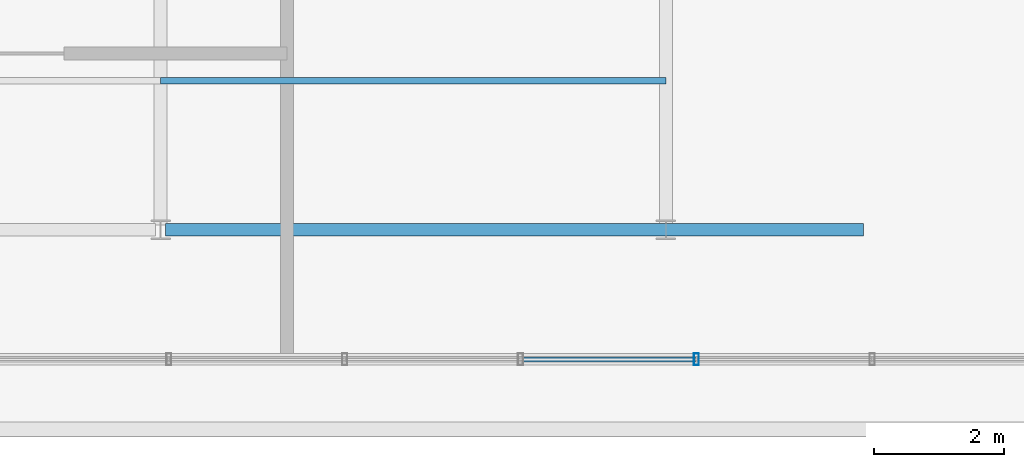
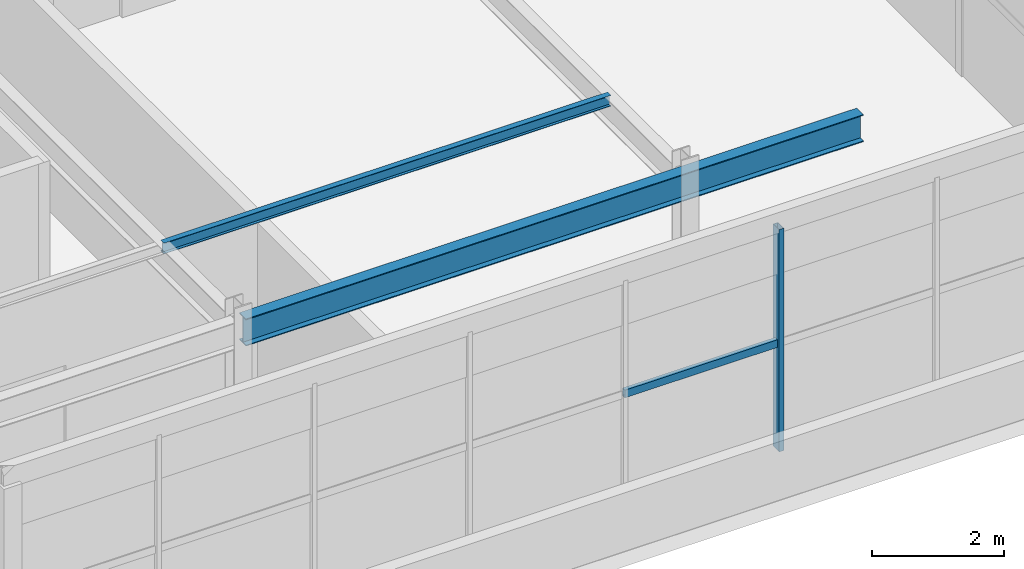
# One storey, part 4 of 31: 3 members, 1 beam, 1 element without a shape of its own.
"""IFC4 building model written with IfcOpenShell, lengths in metres."""

from ifc_helpers import new_model, si_unit, direction, frame, origin, origin_2d, place, context, subcontext, project, spatial, hollow_rectangle, i_section, extrude, source, transform, mapped, material, material_profile, profile_set, type_object, element, aggregate, save


model = new_model("IFC4")

# Units and contexts
model_context = context("Model", 3, precision=1e-05, world=origin(), true_north=direction((0.0, 1.0)))
body_context = subcontext(model_context, "Body", "Model", "MODEL_VIEW")
ifc_project = project(units=[si_unit("LENGTHUNIT", "METRE"), si_unit("AREAUNIT", "SQUARE_METRE"), si_unit("VOLUMEUNIT", "CUBIC_METRE"), si_unit("PLANEANGLEUNIT", "RADIAN"), si_unit("MASSUNIT", "GRAM", prefix="KILO")], contexts=[model_context])

# Site, building, storey
site_placement = place(None, origin())
site = spatial("IfcSite", under=ifc_project, at=site_placement, CompositionType="ELEMENT")
building_placement = place(site_placement, origin())
building = spatial("IfcBuilding", under=site, at=building_placement, Name="Trelvane Seafront Commons", CompositionType="ELEMENT")
storey_placement = place(building_placement, frame((0.0, 0.0, 307.89990234375)))
storey = spatial("IfcBuildingStorey", under=building, at=storey_placement, Name="L80", CompositionType="ELEMENT", Elevation=307.89990234375)

# Beam
ifc_material_1 = material(Name="Steel SM355 (S355)", Category="steel")
ifc_material_profile_1 = material_profile(ifc_material_1, i_section(OverallWidth=0.199951171875, OverallDepth=0.5, WebThickness=0.010009765625, FlangeThickness=0.01611328125, at=origin_2d()), Name="H-500x200x10x16")
ifc_profile_set_1 = profile_set([ifc_material_profile_1], Name="Steel SM355 (S355)")
beam_type = type_object("IfcBeamType", Name="STR-CROWN-FRAME-RING", PredefinedType="SPANDREL", material=ifc_profile_set_1)
shared_shape_1 = source(origin(), body_context, "Body", "SweptSolid", [
    extrude(i_section(OverallWidth=0.199951171875, OverallDepth=0.5, WebThickness=0.010009765625, FlangeThickness=0.01611328125, at=origin_2d()), origin(), (0.0, 0.0, 1.0), 10.77490234375),
])
beam_placement = place(storey_placement, frame((15.675048828125, 18.199951171875, 3.85009765625), z_axis=(1.0, 0.0, 0.0), x_axis=(0.0, 1.0, 0.0)))
element("IfcBeam", 1, at=beam_placement, inside=storey, type_object=beam_type, Name="L80 CROWN FRAME Ring Beam G-02", PredefinedType="SPANDREL", context=body_context, shape_type="MappedRepresentation", body=[
    mapped(shared_shape_1, transform((0.0, 0.0, 0.0), x_axis=(1.0, 0.0, 0.0), y_axis=(0.0, 1.0, 0.0), z_axis=(0.0, 0.0, 1.0), scale=1.0)),
])

# Member
ifc_material_profile_2 = material_profile(ifc_material_1, i_section(OverallWidth=0.10009765625, OverallDepth=0.199951171875, WebThickness=0.005615234375, FlangeThickness=0.008056640625, at=origin_2d()), Name="H-200x100x5.5x8")
ifc_profile_set_2 = profile_set([ifc_material_profile_2], Name="Steel SM355 (S355)")
member_type_1 = type_object("IfcMemberType", Name="STR-PUR-H200", PredefinedType="PURLIN", material=ifc_profile_set_2)
shared_shape_2 = source(origin(), body_context, "Body", "SweptSolid", [
    extrude(i_section(OverallWidth=0.10009765625, OverallDepth=0.199951171875, WebThickness=0.005615234375, FlangeThickness=0.008056640625, at=origin_2d()), origin(), (0.0, 0.0, 1.0), 7.7998046875),
])
member_1_placement = place(storey_placement, frame((15.60009765625, 20.5, 4.0), z_axis=(1.0, 0.0, 0.0), x_axis=(0.0, 1.0, 0.0)))
element("IfcMember", 2, at=member_1_placement, inside=storey, type_object=member_type_1, Name="L80 Crown Roof Purlin PR-1", PredefinedType="PURLIN", context=body_context, shape_type="MappedRepresentation", body=[
    mapped(shared_shape_2, transform((0.0, 0.0, 0.0), x_axis=(1.0, 0.0, 0.0), y_axis=(0.0, 1.0, 0.0), z_axis=(0.0, 0.0, 1.0), scale=1.0)),
])

# Curtain wall, members
ifc_material_2 = material(Name="Anodised pale-silver aluminium", Category="aluminium")
curtain_wall_type = type_object("IfcCurtainWallType", Name="ARCH-CW6-CROWN", PredefinedType="NOTDEFINED", material=ifc_material_2)
curtain_wall_placement = place(storey_placement, origin())
curtain_wall = element("IfcCurtainWall", 3, at=curtain_wall_placement, inside=storey, type_object=curtain_wall_type, Name="CW-L80-0139", PredefinedType="NOTDEFINED")
ifc_material_profile_3 = material_profile(ifc_material_2, hollow_rectangle(XDim=0.080078125, YDim=0.179931640625, WallThickness=0.00439453125, at=origin_2d()), Name="MULL-80x180x4.5")
ifc_profile_set_3 = profile_set([ifc_material_profile_3], Name="Anodised pale-silver aluminium")
member_type_2 = type_object("IfcMemberType", Name="ARCH-CW-MULL-180", PredefinedType="MULLION", material=ifc_profile_set_3)
shared_shape_3 = source(origin(), body_context, "Body", "SweptSolid", [
    extrude(hollow_rectangle(XDim=0.080078125, YDim=0.179931640625, WallThickness=0.00439453125, at=origin_2d()), origin(), (0.0, 0.0, 1.0), 4.10009765625),
])
member_2_placement = place(storey_placement, frame((23.871337890625, 16.199951171875, 0.0), z_axis=(0.0, 0.0, 1.0), x_axis=(1.0, 0.0, 0.0)))
member_2 = element("IfcMember", 4, at=member_2_placement, type_object=member_type_2, Name="CW-L80-0139-M02", PredefinedType="MULLION", context=body_context, shape_type="MappedRepresentation", body=[
    mapped(shared_shape_3, transform((0.0, 0.0, 0.0), x_axis=(1.0, 0.0, 0.0), y_axis=(0.0, 1.0, 0.0), z_axis=(0.0, 0.0, 1.0), scale=1.0)),
])
ifc_material_profile_4 = material_profile(ifc_material_2, hollow_rectangle(XDim=0.074951171875, YDim=0.139892578125, WallThickness=0.00390625, at=origin_2d()), Name="TRAN-75x140x4")
ifc_profile_set_4 = profile_set([ifc_material_profile_4], Name="Anodised pale-silver aluminium")
member_type_3 = type_object("IfcMemberType", Name="ARCH-CW-TRAN-140", PredefinedType="USERDEFINED", material=ifc_profile_set_4)
shared_shape_4 = source(origin(), body_context, "Body", "SweptSolid", [
    extrude(hollow_rectangle(XDim=0.074951171875, YDim=0.139892578125, WallThickness=0.00390625, at=origin_2d()), origin(), (0.0, 0.0, 1.0), 2.690185546875),
])
member_3_placement = place(storey_placement, frame((23.859375, 16.199951171875, 1.968017578125), z_axis=(-1.0, 0.0, 0.0), x_axis=(0.0, -1.0, 0.0)))
member_3 = element("IfcMember", 5, at=member_3_placement, type_object=member_type_3, Name="CW-L80-0139-T02", ObjectType="TRANSOM", PredefinedType="USERDEFINED", context=body_context, shape_type="MappedRepresentation", body=[
    mapped(shared_shape_4, transform((0.0, 0.0, 0.0), x_axis=(1.0, 0.0, 0.0), y_axis=(0.0, 1.0, 0.0), z_axis=(0.0, 0.0, 1.0), scale=1.0)),
])
aggregate(curtain_wall, [member_2, member_3])

save(model, "model.ifc")
